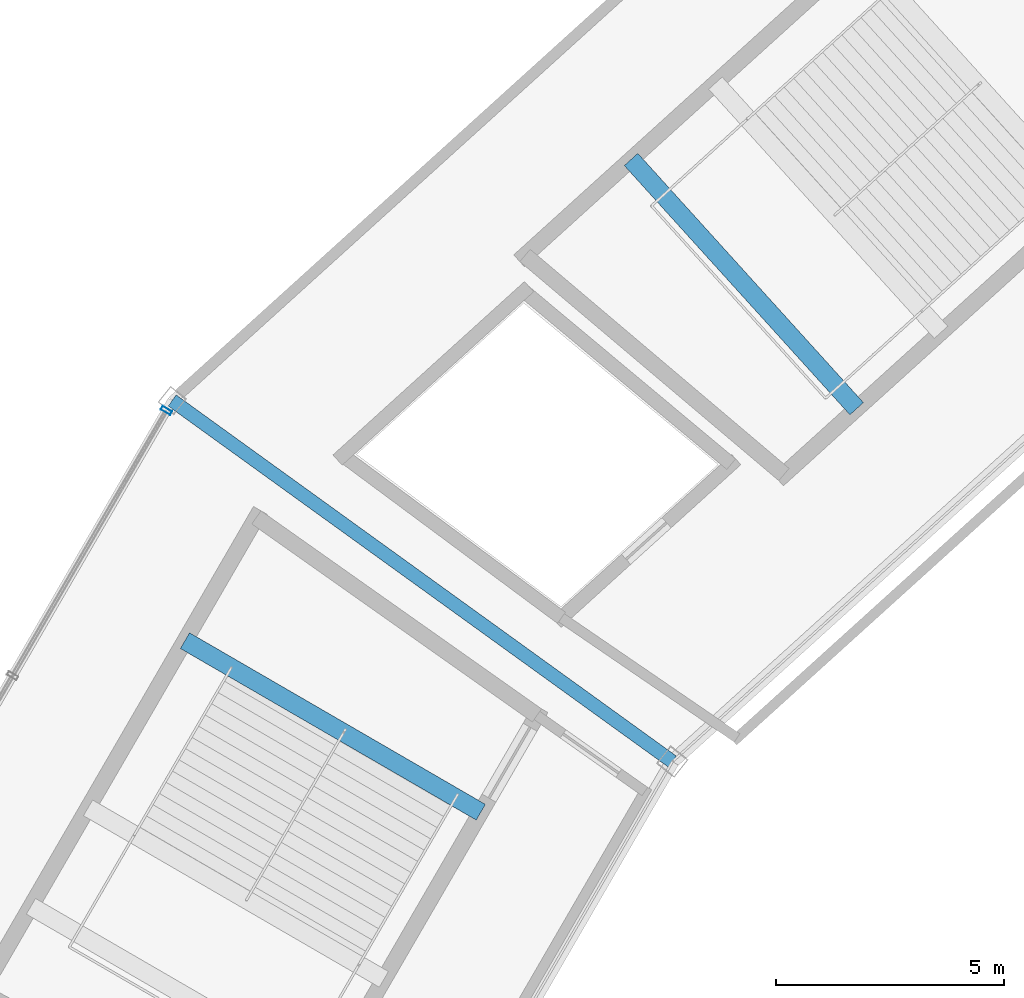
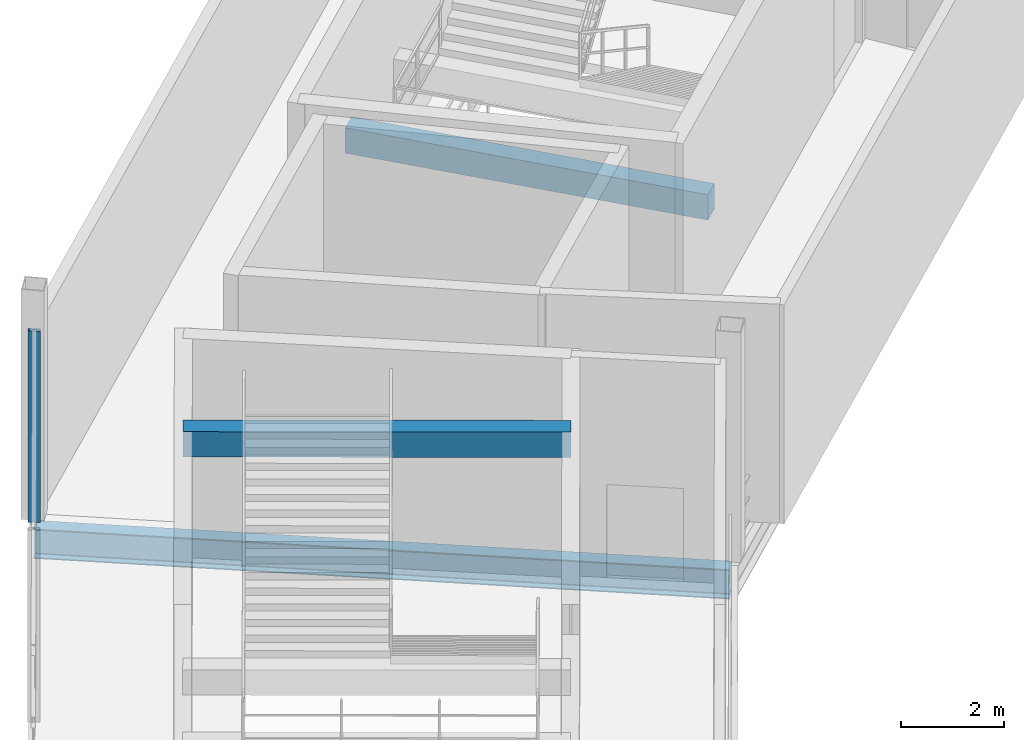
# One storey, part 49 of 103: 3 beams, 1 member, 1 element without a shape of its own.
"""IFC4 building model written with IfcOpenShell, lengths in metres."""

from ifc_helpers import new_model, si_unit, direction, frame, origin, origin_2d, place, context, subcontext, project, spatial, rectangle, hollow_rectangle, i_section, extrude, material, layer, layer_set, material_profile, profile_set, type_object, element, aggregate, save


model = new_model("IFC4")

# Units and contexts
model_context = context("Model", 3, precision=1e-05, world=origin(), true_north=direction((0.0, 1.0)))
body_context = subcontext(model_context, "Body", "Model", "MODEL_VIEW")
ifc_project = project(units=[si_unit("LENGTHUNIT", "METRE"), si_unit("AREAUNIT", "SQUARE_METRE"), si_unit("VOLUMEUNIT", "CUBIC_METRE"), si_unit("PLANEANGLEUNIT", "RADIAN"), si_unit("MASSUNIT", "GRAM", prefix="KILO")], contexts=[model_context])

# Site, building, storey
site_placement = place(None, origin())
site = spatial("IfcSite", under=ifc_project, at=site_placement, CompositionType="ELEMENT")
building_placement = place(site_placement, origin())
building = spatial("IfcBuilding", under=site, at=building_placement, Name="Kazemori Nagisa Stadium", CompositionType="ELEMENT")
storey_placement = place(building_placement, frame((0.0, 0.0, 25.840087890625)))
storey = spatial("IfcBuildingStorey", under=building, at=storey_placement, Name="L05", CompositionType="ELEMENT", Elevation=25.840087890625)

# Beams
ifc_material_1 = material(Name="Steel SN490B", Category="steel")
ifc_material_profile_1 = material_profile(ifc_material_1, i_section(OverallWidth=0.300048828125, OverallDepth=0.699951171875, WebThickness=0.012939453125, FlangeThickness=0.02392578125, FilletRadius=0.01806640625, at=origin_2d()), Name="H-700x300x13x24")
ifc_profile_set_1 = profile_set([ifc_material_profile_1], Name="Steel SN490B")
beam_type_1 = type_object("IfcBeamType", Name="Beam_BG-H700", PredefinedType="BEAM", material=ifc_profile_set_1)
beam_1_placement = place(storey_placement, frame((55.493896484375, 150.734130859375, -0.610107421875), z_axis=(-0.810787509935, 0.585340596349, 0.0), x_axis=(-0.585340596349, -0.810787509935, 0.0)))
element("IfcBeam", 1, at=beam_1_placement, inside=storey, type_object=beam_type_1, Name="Radial girder BG-H700 L05 R2-R3-12", PredefinedType="BEAM", context=body_context, shape_type="SweptSolid", body=[
    extrude(i_section(OverallWidth=0.300048828125, OverallDepth=0.699951171875, WebThickness=0.012939453125, FlangeThickness=0.02392578125, FilletRadius=0.01806640625, at=origin_2d()), origin(), (0.0, 0.0, 1.0), 13.5537109375),
])
ifc_material_2 = material(Name="Concrete C40/50 (Fc42)", Category="concrete")
ifc_material_profile_2 = material_profile(ifc_material_2, rectangle(XDim=0.39990234375, YDim=0.60009765625, at=origin_2d()), Name="RC-BM-400x600")
ifc_profile_set_2 = profile_set([ifc_material_profile_2], Name="Concrete C40/50 (Fc42)")
beam_type_2 = type_object("IfcBeamType", Name="Beam_BG-LND400X600", PredefinedType="BEAM", material=ifc_profile_set_2)
beam_2_placement = place(storey_placement, frame((59.542724609375, 158.486572265625, 2.219970703125), z_axis=(-0.671113236271, 0.74135485707, 0.0), x_axis=(-0.74135485707, -0.671113236271, 0.0)))
element("IfcBeam", 2, at=beam_2_placement, inside=storey, type_object=beam_type_2, Name="Core stair mid-landing girder ST02-L05-2", PredefinedType="BEAM", context=body_context, shape_type="SweptSolid", body=[
    extrude(rectangle(XDim=0.39990234375, YDim=0.60009765625, at=origin_2d()), origin(), (0.0, 0.0, 1.0), 7.385986328125),
])
beam_3_placement = place(storey_placement, frame((51.28564453125, 149.621826171875, 4.8798828125), z_axis=(-0.865086463473, 0.50162277731, 0.0), x_axis=(-0.50162277731, -0.865086463473, 0.0)))
element("IfcBeam", 3, at=beam_3_placement, inside=storey, type_object=beam_type_2, Name="Core stair arrival header girder ST08-L05", PredefinedType="BEAM", context=body_context, shape_type="SweptSolid", body=[
    extrude(rectangle(XDim=0.39990234375, YDim=0.60009765625, at=origin_2d()), origin(), (0.0, 0.0, 1.0), 7.513671875),
])

# Curtain wall, member
ifc_material_3 = material(Name="Anodised aluminium 6063-T5", Category="aluminium")
ifc_layer = layer(ifc_material_3, 0.239990234375, Name="Anodised aluminium 6063-T5", Category="aluminium")
ifc_layer_set = layer_set([ifc_layer], Name="Anodised aluminium 6063-T5")
curtain_wall_type = type_object("IfcCurtainWallType", Name="CW_L05R3_101", PredefinedType="USERDEFINED", material=ifc_layer_set)
curtain_wall_placement = place(storey_placement, origin())
curtain_wall = element("IfcCurtainWall", 4, at=curtain_wall_placement, inside=storey, type_object=curtain_wall_type, Name="Unitised curtain wall CW-L05R3-101 L05", ObjectType="UNITISED CURTAIN WALL", PredefinedType="USERDEFINED")
ifc_material_4 = material(Name="Aluminium 6063-T5 anodised", Category="aluminium")
ifc_material_profile_3 = material_profile(ifc_material_4, hollow_rectangle(XDim=0.090087890625, YDim=0.239990234375, WallThickness=0.0048828125, at=origin_2d()), Name="ALU-MULL-90x240x5")
ifc_profile_set_3 = profile_set([ifc_material_profile_3], Name="Aluminium 6063-T5 anodised")
member_type = type_object("IfcMemberType", Name="Mullion_M03", PredefinedType="MULLION", material=ifc_profile_set_3)
member_placement = place(storey_placement, frame((44.376708984375, 158.447021484375, 0.0), z_axis=(0.0, 0.0, 1.0), x_axis=(-0.501611590054, -0.865092950337, 0.0)))
member = element("IfcMember", 5, at=member_placement, type_object=member_type, Name="Curtain wall mullion CW-L05R3-101-M1", PredefinedType="MULLION", context=body_context, shape_type="SweptSolid", body=[
    extrude(hollow_rectangle(XDim=0.090087890625, YDim=0.239990234375, WallThickness=0.0048828125, at=origin_2d()), origin(), (0.0, 0.0, 1.0), 4.530029296875),
])
aggregate(curtain_wall, [member])

save(model, "model.ifc")
